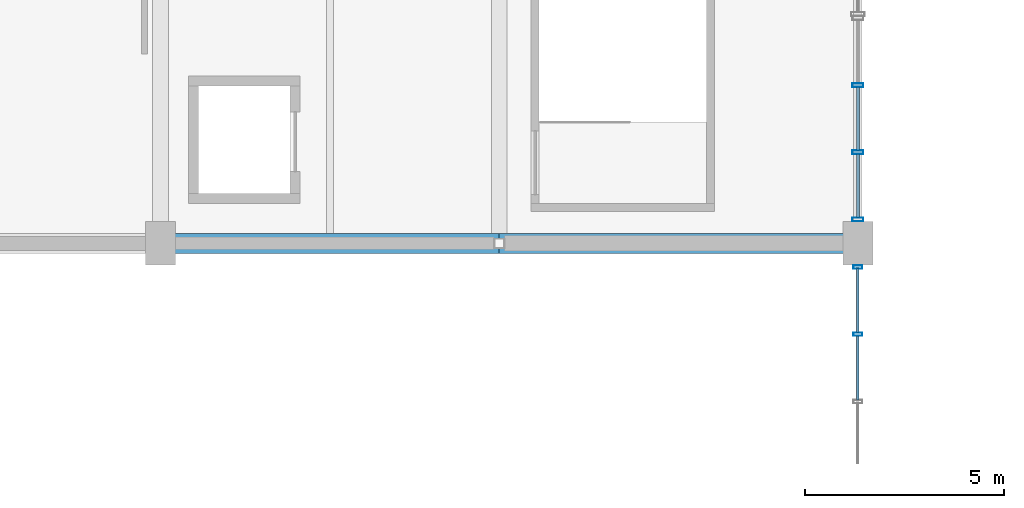
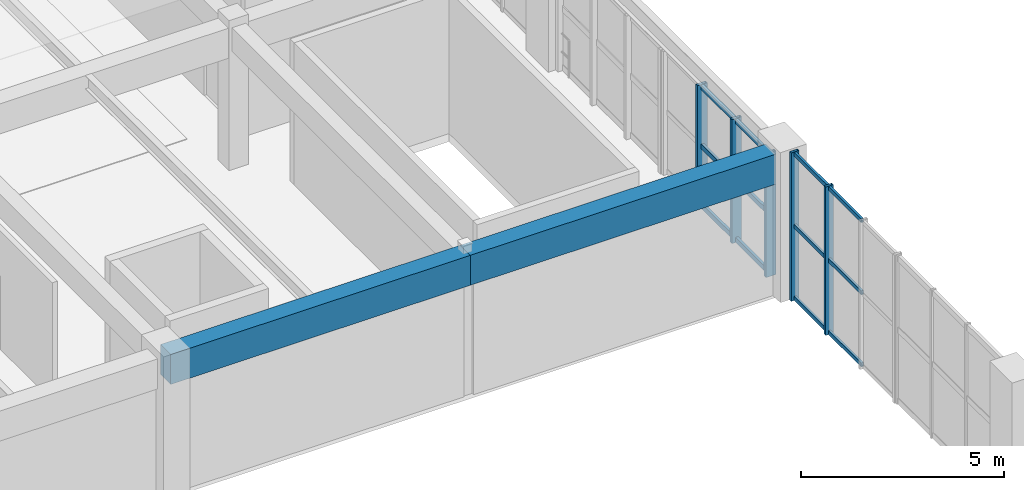
# One storey, part 19 of 80: 17 members, 2 beams, 2 elements without a shape of their own.
"""IFC4 building model written with IfcOpenShell, lengths in metres."""

from ifc_helpers import new_model, si_unit, direction, frame, origin, origin_2d, place, context, subcontext, project, spatial, rectangle, hollow_rectangle, extrude, material, layer, layer_set, material_profile, profile_set, type_object, element, aggregate, save


model = new_model("IFC4")

# Units and contexts
model_context = context("Model", 3, precision=1e-05, world=origin(), true_north=direction((0.0, 1.0)))
body_context = subcontext(model_context, "Body", "Model", "MODEL_VIEW")
ifc_project = project(units=[si_unit("LENGTHUNIT", "METRE"), si_unit("AREAUNIT", "SQUARE_METRE"), si_unit("VOLUMEUNIT", "CUBIC_METRE"), si_unit("PLANEANGLEUNIT", "RADIAN"), si_unit("MASSUNIT", "GRAM", prefix="KILO"), si_unit("POWERUNIT", "WATT"), si_unit("THERMODYNAMICTEMPERATUREUNIT", "KELVIN")], contexts=[model_context])

# Site, building, storey
site_placement = place(None, origin())
site = spatial("IfcSite", under=ifc_project, at=site_placement, CompositionType="ELEMENT")
building_placement = place(site_placement, origin())
building = spatial("IfcBuilding", under=site, at=building_placement, Name="Kelmbourne Parkland Aquatics Centre", CompositionType="ELEMENT")
storey_placement = place(building_placement, frame((0.0, 0.0, 10.199951171875)))
storey = spatial("IfcBuildingStorey", under=building, at=storey_placement, Name="L02", CompositionType="ELEMENT", Elevation=10.199951171875)

# Beams
ifc_material_1 = material(Name="Concrete C40/50", Category="concrete")
ifc_material_profile_1 = material_profile(ifc_material_1, rectangle(XDim=0.5, YDim=0.89990234375, at=origin_2d()), Name="RC 500x900")
ifc_profile_set_1 = profile_set([ifc_material_profile_1], Name="Concrete C40/50")
beam_type = type_object("IfcBeamType", Name="BM-G03", PredefinedType="BEAM", material=ifc_profile_set_1)
beam_1_placement = place(storey_placement, frame((110.5, 12.199951171875, 3.81005859375), z_axis=(1.0, 0.0, 0.0), x_axis=(0.0, 1.0, 0.0)))
element("IfcBeam", 1, at=beam_1_placement, inside=storey, type_object=beam_type, Name="Primary girder N-O Grid 03 (L03)", PredefinedType="BEAM", context=body_context, shape_type="SweptSolid", body=[
    extrude(rectangle(XDim=0.5, YDim=0.89990234375, at=origin_2d()), origin(), (0.0, 0.0, 1.0), 8.5),
])
beam_2_placement = place(storey_placement, frame((119.0, 12.199951171875, 3.81005859375), z_axis=(1.0, 0.0, 0.0), x_axis=(0.0, 1.0, 0.0)))
element("IfcBeam", 2, at=beam_2_placement, inside=storey, type_object=beam_type, Name="Primary girder O-P Grid 03 (L03)", PredefinedType="BEAM", context=body_context, shape_type="SweptSolid", body=[
    extrude(rectangle(XDim=0.5, YDim=0.89990234375, at=origin_2d()), origin(), (0.0, 0.0, 1.0), 8.669921875),
])

# Curtain wall, members
ifc_material_2 = material(Name="Thermally broken anodised aluminium framing", Category="aluminium")
ifc_layer_1 = layer(ifc_material_2, 0.179931640625)
ifc_layer_set_1 = layer_set([ifc_layer_1], Name="Thermally broken anodised aluminium framing")
curtain_wall_type_1 = type_object("IfcCurtainWallType", Name="CW-12", PredefinedType="NOTDEFINED", material=ifc_layer_set_1)
curtain_wall_1_placement = place(storey_placement, origin())
curtain_wall_1 = element("IfcCurtainWall", 3, at=curtain_wall_1_placement, inside=storey, type_object=curtain_wall_type_1, Name="Wave-hall clerestory curtain wall CW-L02-012", PredefinedType="NOTDEFINED")
ifc_material_profile_2 = material_profile(ifc_material_2, hollow_rectangle(XDim=0.0849609375, YDim=0.219970703125, WallThickness=0.0048828125, at=origin_2d()), Name="CW-M 85x220")
ifc_profile_set_2 = profile_set([ifc_material_profile_2], Name="Thermally broken anodised aluminium framing")
member_type_1 = type_object("IfcMemberType", Name="MB-MUL-3", PredefinedType="MULLION", material=ifc_profile_set_2)
member_1_placement = place(storey_placement, frame((128.0, 9.917724609375, 0.0), z_axis=(0.0, 0.0, 1.0), x_axis=(0.0, 1.0, 0.0)))
member_1 = element("IfcMember", 4, at=member_1_placement, type_object=member_type_1, Name="CW-L02-012 mullion 2", PredefinedType="MULLION", context=body_context, shape_type="SweptSolid", body=[
    extrude(hollow_rectangle(XDim=0.0849609375, YDim=0.219970703125, WallThickness=0.0048828125, at=origin_2d()), origin(), (0.0, 0.0, 1.0), 4.449951171875),
])
member_2_placement = place(storey_placement, frame((128.0, 11.60546875, 0.0), z_axis=(0.0, 0.0, 1.0), x_axis=(0.0, 1.0, 0.0)))
member_2 = element("IfcMember", 5, at=member_2_placement, type_object=member_type_1, Name="CW-L02-012 mullion 3", PredefinedType="MULLION", context=body_context, shape_type="SweptSolid", body=[
    extrude(hollow_rectangle(XDim=0.0849609375, YDim=0.219970703125, WallThickness=0.0048828125, at=origin_2d()), origin(), (0.0, 0.0, 1.0), 4.449951171875),
])

ifc_layer_2 = layer(ifc_material_2, 0.179931640625)
ifc_layer_set_2 = layer_set([ifc_layer_2], Name="Thermally broken anodised aluminium framing")
curtain_wall_type_2 = type_object("IfcCurtainWallType", Name="CW-16", PredefinedType="NOTDEFINED", material=ifc_layer_set_2)
curtain_wall_2_placement = place(storey_placement, origin())
curtain_wall_2 = element("IfcCurtainWall", 6, at=curtain_wall_2_placement, inside=storey, type_object=curtain_wall_type_2, Name="Facade curtain wall CW-L02-208", PredefinedType="NOTDEFINED")
ifc_material_profile_3 = material_profile(ifc_material_2, hollow_rectangle(XDim=0.094970703125, YDim=0.280029296875, WallThickness=0.005615234375, at=origin_2d()), Name="CW-M 95x280")
ifc_profile_set_3 = profile_set([ifc_material_profile_3], Name="Thermally broken anodised aluminium framing")
member_type_2 = type_object("IfcMemberType", Name="MB-MUL-4", PredefinedType="MULLION", material=ifc_profile_set_3)
member_3_placement = place(storey_placement, frame((128.0, 12.799560546875, 0.0), z_axis=(0.0, 0.0, 1.0), x_axis=(0.0, 1.0, 0.0)))
member_3 = element("IfcMember", 7, at=member_3_placement, type_object=member_type_2, Name="CW-L02-208 mullion 0", PredefinedType="MULLION", context=body_context, shape_type="SweptSolid", body=[
    extrude(hollow_rectangle(XDim=0.094970703125, YDim=0.280029296875, WallThickness=0.005615234375, at=origin_2d()), origin(), (0.0, 0.0, 1.0), 3.712158203125),
])
member_4_placement = place(storey_placement, frame((128.0, 14.48388671875, 0.0), z_axis=(0.0, 0.0, 1.0), x_axis=(0.0, 1.0, 0.0)))
member_4 = element("IfcMember", 8, at=member_4_placement, type_object=member_type_2, Name="CW-L02-208 mullion 1", PredefinedType="MULLION", context=body_context, shape_type="SweptSolid", body=[
    extrude(hollow_rectangle(XDim=0.094970703125, YDim=0.280029296875, WallThickness=0.005615234375, at=origin_2d()), origin(), (0.0, 0.0, 1.0), 3.712158203125),
])
member_5_placement = place(storey_placement, frame((128.0, 16.168212890625, 0.0), z_axis=(0.0, 0.0, 1.0), x_axis=(0.0, 1.0, 0.0)))
member_5 = element("IfcMember", 9, at=member_5_placement, type_object=member_type_2, Name="CW-L02-208 mullion 2", PredefinedType="MULLION", context=body_context, shape_type="SweptSolid", body=[
    extrude(hollow_rectangle(XDim=0.094970703125, YDim=0.280029296875, WallThickness=0.005615234375, at=origin_2d()), origin(), (0.0, 0.0, 1.0), 3.712158203125),
])

# Member
ifc_material_profile_4 = material_profile(ifc_material_2, hollow_rectangle(XDim=0.06494140625, YDim=0.1201171875, WallThickness=0.00341796875, at=origin_2d()), Name="CW-T 65x120")
ifc_profile_set_4 = profile_set([ifc_material_profile_4], Name="Thermally broken anodised aluminium framing")
member_type_3 = type_object("IfcMemberType", Name="MB-TRN-1", PredefinedType="USERDEFINED", material=ifc_profile_set_4)
member_6_placement = place(storey_placement, frame((128.0, 8.268798828125, 0.06298828125), z_axis=(0.0, 1.0, 0.0), x_axis=(-1.0, 0.0, 0.0)))
member_6 = element("IfcMember", 10, at=member_6_placement, type_object=member_type_3, Name="CW-L02-012 transom 0-1", ObjectType="TRANSOM", PredefinedType="USERDEFINED", context=body_context, shape_type="SweptSolid", body=[
    extrude(hollow_rectangle(XDim=0.06494140625, YDim=0.1201171875, WallThickness=0.00341796875, at=origin_2d()), origin(), (0.0, 0.0, 1.0), 1.610595703125),
])

member_7_placement = place(storey_placement, frame((128.0, 9.956298828125, 0.06298828125), z_axis=(0.0, 1.0, 0.0), x_axis=(-1.0, 0.0, 0.0)))
member_7 = element("IfcMember", 11, at=member_7_placement, type_object=member_type_3, Name="CW-L02-012 transom 0-2", ObjectType="TRANSOM", PredefinedType="USERDEFINED", context=body_context, shape_type="SweptSolid", body=[
    extrude(hollow_rectangle(XDim=0.06494140625, YDim=0.1201171875, WallThickness=0.00341796875, at=origin_2d()), origin(), (0.0, 0.0, 1.0), 1.610595703125),
])

member_8_placement = place(storey_placement, frame((128.0, 8.268798828125, 2.22509765625), z_axis=(0.0, 1.0, 0.0), x_axis=(-1.0, 0.0, 0.0)))
member_8 = element("IfcMember", 12, at=member_8_placement, type_object=member_type_3, Name="CW-L02-012 transom 1-1", ObjectType="TRANSOM", PredefinedType="USERDEFINED", context=body_context, shape_type="SweptSolid", body=[
    extrude(hollow_rectangle(XDim=0.06494140625, YDim=0.1201171875, WallThickness=0.00341796875, at=origin_2d()), origin(), (0.0, 0.0, 1.0), 1.610595703125),
])

member_9_placement = place(storey_placement, frame((128.0, 9.956298828125, 2.22509765625), z_axis=(0.0, 1.0, 0.0), x_axis=(-1.0, 0.0, 0.0)))
member_9 = element("IfcMember", 13, at=member_9_placement, type_object=member_type_3, Name="CW-L02-012 transom 1-2", ObjectType="TRANSOM", PredefinedType="USERDEFINED", context=body_context, shape_type="SweptSolid", body=[
    extrude(hollow_rectangle(XDim=0.06494140625, YDim=0.1201171875, WallThickness=0.00341796875, at=origin_2d()), origin(), (0.0, 0.0, 1.0), 1.610595703125),
])

member_10_placement = place(storey_placement, frame((128.0, 8.268798828125, 4.386962890625), z_axis=(0.0, 1.0, 0.0), x_axis=(-1.0, 0.0, 0.0)))
member_10 = element("IfcMember", 14, at=member_10_placement, type_object=member_type_3, Name="CW-L02-012 transom 2-1", ObjectType="TRANSOM", PredefinedType="USERDEFINED", context=body_context, shape_type="SweptSolid", body=[
    extrude(hollow_rectangle(XDim=0.06494140625, YDim=0.1201171875, WallThickness=0.00341796875, at=origin_2d()), origin(), (0.0, 0.0, 1.0), 1.610595703125),
])

member_11_placement = place(storey_placement, frame((128.0, 9.956298828125, 4.386962890625), z_axis=(0.0, 1.0, 0.0), x_axis=(-1.0, 0.0, 0.0)))
member_11 = element("IfcMember", 15, at=member_11_placement, type_object=member_type_3, Name="CW-L02-012 transom 2-2", ObjectType="TRANSOM", PredefinedType="USERDEFINED", context=body_context, shape_type="SweptSolid", body=[
    extrude(hollow_rectangle(XDim=0.06494140625, YDim=0.1201171875, WallThickness=0.00341796875, at=origin_2d()), origin(), (0.0, 0.0, 1.0), 1.610595703125),
])

aggregate(curtain_wall_1, [member_1, member_2, member_6, member_7, member_8, member_9, member_10, member_11])

ifc_material_profile_5 = material_profile(ifc_material_2, hollow_rectangle(XDim=0.074951171875, YDim=0.14990234375, WallThickness=0.00390625, at=origin_2d()), Name="CW-T 75x150")
ifc_profile_set_5 = profile_set([ifc_material_profile_5], Name="Thermally broken anodised aluminium framing")
member_type_4 = type_object("IfcMemberType", Name="MB-TRN-2", PredefinedType="USERDEFINED", material=ifc_profile_set_5)
member_12_placement = place(storey_placement, frame((128.0, 12.843017578125, 0.078125), z_axis=(0.0, 1.0, 0.0), x_axis=(-1.0, 0.0, 0.0)))
member_12 = element("IfcMember", 16, at=member_12_placement, type_object=member_type_4, Name="CW-L02-208 transom 0-0", ObjectType="TRANSOM", PredefinedType="USERDEFINED", context=body_context, shape_type="SweptSolid", body=[
    extrude(hollow_rectangle(XDim=0.074951171875, YDim=0.14990234375, WallThickness=0.00390625, at=origin_2d()), origin(), (0.0, 0.0, 1.0), 1.59716796875),
])

member_13_placement = place(storey_placement, frame((128.0, 14.52734375, 0.078125), z_axis=(0.0, 1.0, 0.0), x_axis=(-1.0, 0.0, 0.0)))
member_13 = element("IfcMember", 17, at=member_13_placement, type_object=member_type_4, Name="CW-L02-208 transom 0-1", ObjectType="TRANSOM", PredefinedType="USERDEFINED", context=body_context, shape_type="SweptSolid", body=[
    extrude(hollow_rectangle(XDim=0.074951171875, YDim=0.14990234375, WallThickness=0.00390625, at=origin_2d()), origin(), (0.0, 0.0, 1.0), 1.597412109375),
])

member_14_placement = place(storey_placement, frame((128.0, 12.843017578125, 1.85595703125), z_axis=(0.0, 1.0, 0.0), x_axis=(-1.0, 0.0, 0.0)))
member_14 = element("IfcMember", 18, at=member_14_placement, type_object=member_type_4, Name="CW-L02-208 transom 1-0", ObjectType="TRANSOM", PredefinedType="USERDEFINED", context=body_context, shape_type="SweptSolid", body=[
    extrude(hollow_rectangle(XDim=0.074951171875, YDim=0.14990234375, WallThickness=0.00390625, at=origin_2d()), origin(), (0.0, 0.0, 1.0), 1.59716796875),
])

member_15_placement = place(storey_placement, frame((128.0, 14.52734375, 1.85595703125), z_axis=(0.0, 1.0, 0.0), x_axis=(-1.0, 0.0, 0.0)))
member_15 = element("IfcMember", 19, at=member_15_placement, type_object=member_type_4, Name="CW-L02-208 transom 1-1", ObjectType="TRANSOM", PredefinedType="USERDEFINED", context=body_context, shape_type="SweptSolid", body=[
    extrude(hollow_rectangle(XDim=0.074951171875, YDim=0.14990234375, WallThickness=0.00390625, at=origin_2d()), origin(), (0.0, 0.0, 1.0), 1.597412109375),
])

member_16_placement = place(storey_placement, frame((128.0, 12.843017578125, 3.634033203125), z_axis=(0.0, 1.0, 0.0), x_axis=(-1.0, 0.0, 0.0)))
member_16 = element("IfcMember", 20, at=member_16_placement, type_object=member_type_4, Name="CW-L02-208 transom 2-0", ObjectType="TRANSOM", PredefinedType="USERDEFINED", context=body_context, shape_type="SweptSolid", body=[
    extrude(hollow_rectangle(XDim=0.074951171875, YDim=0.14990234375, WallThickness=0.00390625, at=origin_2d()), origin(), (0.0, 0.0, 1.0), 1.59716796875),
])

member_17_placement = place(storey_placement, frame((128.0, 14.52734375, 3.634033203125), z_axis=(0.0, 1.0, 0.0), x_axis=(-1.0, 0.0, 0.0)))
member_17 = element("IfcMember", 21, at=member_17_placement, type_object=member_type_4, Name="CW-L02-208 transom 2-1", ObjectType="TRANSOM", PredefinedType="USERDEFINED", context=body_context, shape_type="SweptSolid", body=[
    extrude(hollow_rectangle(XDim=0.074951171875, YDim=0.14990234375, WallThickness=0.00390625, at=origin_2d()), origin(), (0.0, 0.0, 1.0), 1.597412109375),
])

aggregate(curtain_wall_2, [member_3, member_4, member_5, member_12, member_13, member_14, member_15, member_16, member_17])

save(model, "model.ifc")
